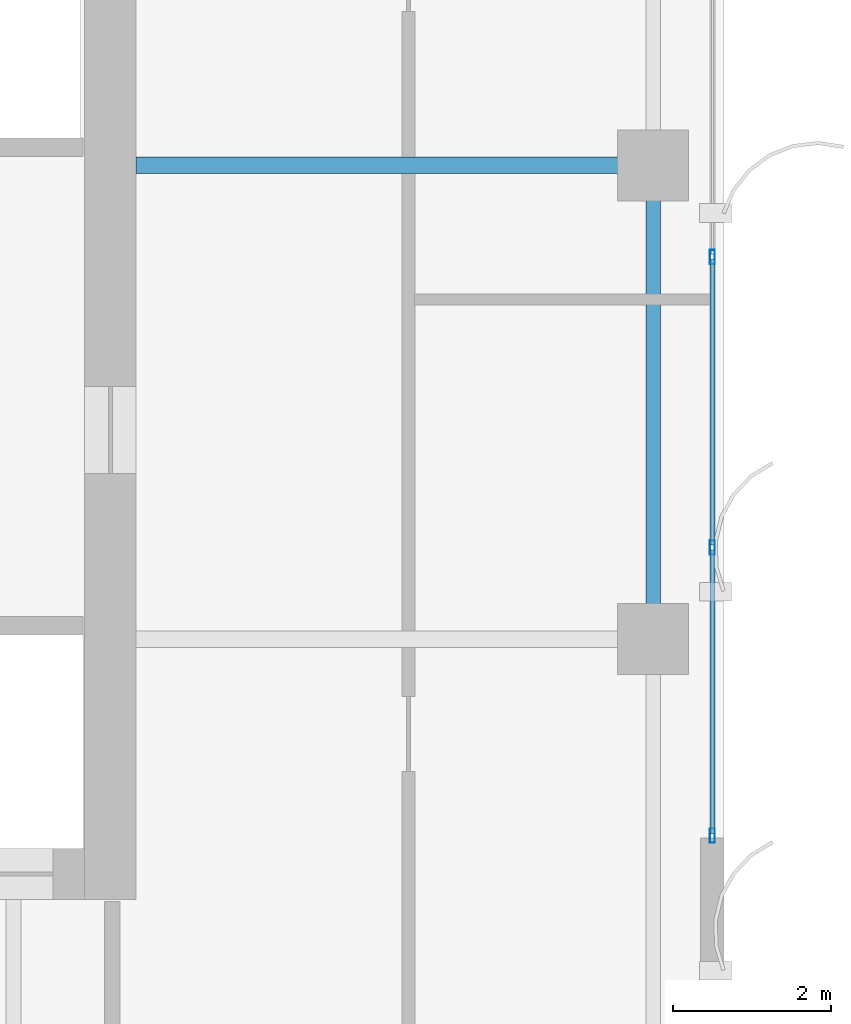
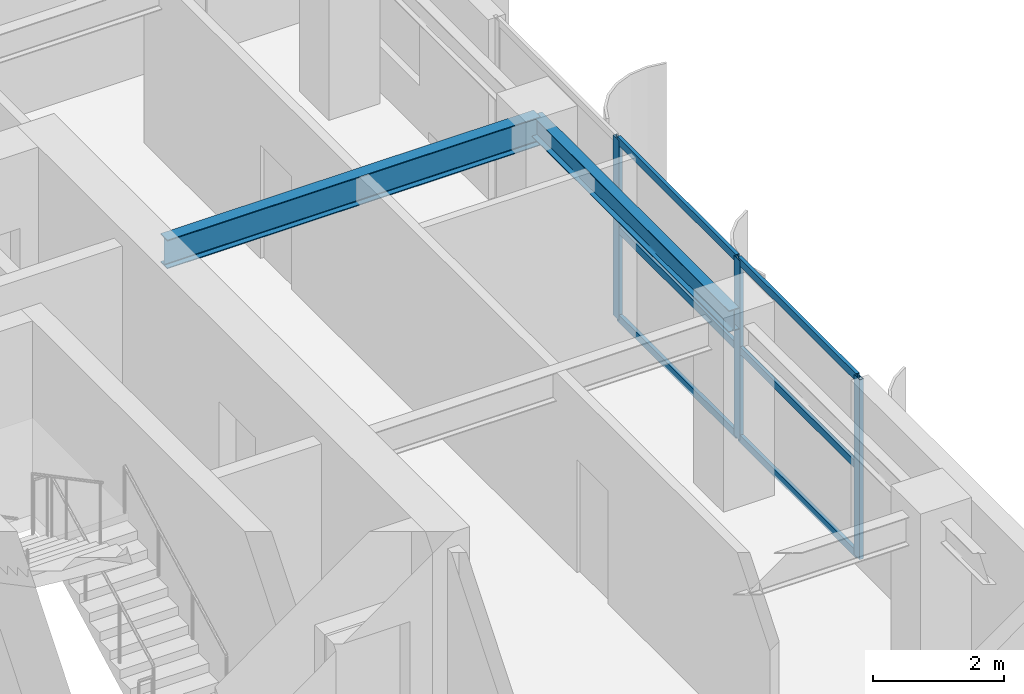
# One storey, part 9 of 22: 9 members, 2 beams, 1 element without a shape of its own.
"""IFC4 building model written with IfcOpenShell, lengths in metres."""

from ifc_helpers import new_model, si_unit, direction, frame, origin, origin_2d, place, context, subcontext, project, spatial, hollow_rectangle, i_section, extrude, source, transform, mapped, material, layer, layer_set, material_profile, profile_set, type_object, element, aggregate, save


model = new_model("IFC4")

# Units and contexts
model_context = context("Model", 3, precision=1e-05, world=origin(), true_north=direction((0.0, 1.0)))
body_context = subcontext(model_context, "Body", "Model", "MODEL_VIEW")
ifc_project = project(units=[si_unit("LENGTHUNIT", "METRE"), si_unit("AREAUNIT", "SQUARE_METRE"), si_unit("VOLUMEUNIT", "CUBIC_METRE"), si_unit("PLANEANGLEUNIT", "RADIAN"), si_unit("MASSUNIT", "GRAM", prefix="KILO")], contexts=[model_context])

# Site, building, storey
site_placement = place(None, origin())
site = spatial("IfcSite", under=ifc_project, at=site_placement, CompositionType="ELEMENT")
building_placement = place(site_placement, origin())
building = spatial("IfcBuilding", under=site, at=building_placement, Name="Khoralis Quay Care Tower", CompositionType="ELEMENT")
storey_placement = place(building_placement, frame((0.0, 0.0, 170.10009765625)))
storey = spatial("IfcBuildingStorey", under=building, at=storey_placement, Name="L44", CompositionType="ELEMENT", Elevation=170.10009765625)

# Beams
ifc_material_1 = material(Name="Steel S355", Category="steel")
ifc_material_profile_1 = material_profile(ifc_material_1, i_section(OverallWidth=0.179931640625, OverallDepth=0.39990234375, WebThickness=0.008544921875, FlangeThickness=0.013427734375, FilletRadius=0.02099609375, at=origin_2d()), Name="Steel S355")
ifc_profile_set_1 = profile_set([ifc_material_profile_1], Name="Steel S355")
beam_type_1 = type_object("IfcBeamType", Name="BM-IPE400", PredefinedType="SPANDREL", material=ifc_profile_set_1)
shared_shape_1 = source(origin(), body_context, "Body", "SweptSolid", [
    extrude(i_section(OverallWidth=0.179931640625, OverallDepth=0.39990234375, WebThickness=0.008544921875, FlangeThickness=0.013427734375, FilletRadius=0.02099609375, at=origin_2d()), origin(), (0.0, 0.0, 1.0), 6.0),
])
beam_1_placement = place(storey_placement, frame((44.10009765625, 18.0, 3.139892578125), z_axis=(0.0, 1.0, 0.0), x_axis=(-1.0, 0.0, 0.0)))
element("IfcBeam", 1, at=beam_1_placement, inside=storey, type_object=beam_type_1, Name="BM-TSP-L44-16", PredefinedType="SPANDREL", context=body_context, shape_type="MappedRepresentation", body=[
    mapped(shared_shape_1, transform((0.0, 0.0, 0.0), scale=1.0)),
])
ifc_material_profile_2 = material_profile(ifc_material_1, i_section(OverallWidth=0.208984375, OverallDepth=0.532958984375, WebThickness=0.01025390625, FlangeThickness=0.015625, FilletRadius=0.01611328125, at=origin_2d()), Name="Steel S355")
ifc_profile_set_2 = profile_set([ifc_material_profile_2], Name="Steel S355")
beam_type_2 = type_object("IfcBeamType", Name="BM-W530X92", PredefinedType="BEAM", material=ifc_profile_set_2)
shared_shape_2 = source(origin(), body_context, "Body", "SweptSolid", [
    extrude(i_section(OverallWidth=0.208984375, OverallDepth=0.532958984375, WebThickness=0.01025390625, FlangeThickness=0.015625, FilletRadius=0.01611328125, at=origin_2d()), origin(), (0.0, 0.0, 1.0), 6.552001953125),
])
beam_2_placement = place(storey_placement, frame((37.548095703125, 24.0, 3.073486328125), z_axis=(1.0, 0.0, 0.0), x_axis=(0.0, 1.0, 0.0)))
element("IfcBeam", 2, at=beam_2_placement, inside=storey, type_object=beam_type_2, Name="BM-TGXE-L44-240", PredefinedType="BEAM", context=body_context, shape_type="MappedRepresentation", body=[
    mapped(shared_shape_2, transform((0.0, 0.0, 0.0), scale=1.0)),
])

# Curtain wall, members
ifc_material_2 = material(Name="Pale anodised aluminium", Category="aluminium")
ifc_layer = layer(ifc_material_2, 0.159912109375)
ifc_layer_set = layer_set([ifc_layer], Name="Pale anodised aluminium")
curtain_wall_type = type_object("IfcCurtainWallType", Name="CW-SYS-Z3", PredefinedType="NOTDEFINED", material=ifc_layer_set)
curtain_wall_placement = place(storey_placement, origin())
curtain_wall = element("IfcCurtainWall", 3, at=curtain_wall_placement, inside=storey, type_object=curtain_wall_type, Name="L44 Unitised Curtain Wall CW-L44-P1-E5", PredefinedType="NOTDEFINED")
ifc_material_profile_3 = material_profile(ifc_material_2, hollow_rectangle(XDim=0.06494140625, YDim=0.179931640625, WallThickness=0.00390625, at=origin_2d()), Name="Pale anodised aluminium")
ifc_profile_set_3 = profile_set([ifc_material_profile_3], Name="Pale anodised aluminium")
member_type_1 = type_object("IfcMemberType", Name="CW-MUL-180", PredefinedType="MULLION", material=ifc_profile_set_3)
shared_shape_3 = source(origin(), body_context, "Body", "SweptSolid", [
    extrude(hollow_rectangle(XDim=0.06494140625, YDim=0.179931640625, WallThickness=0.00390625, at=origin_2d()), origin(), (0.0, 0.0, 1.0), 3.33984375),
])
member_1_placement = place(storey_placement, frame((44.85009765625, 15.510009765625, 0.0), z_axis=(0.0, 0.0, 1.0), x_axis=(-1.0, 0.0, 0.0)))
member_1 = element("IfcMember", 4, at=member_1_placement, type_object=member_type_1, Name="CW3 mullion 1", PredefinedType="MULLION", context=body_context, shape_type="MappedRepresentation", body=[
    mapped(shared_shape_3, transform((0.0, 0.0, 0.0), scale=1.0)),
])
member_2_placement = place(storey_placement, frame((44.85009765625, 19.159912109375, 0.0), z_axis=(0.0, 0.0, 1.0), x_axis=(-1.0, 0.0, 0.0)))
member_2 = element("IfcMember", 5, at=member_2_placement, type_object=member_type_1, Name="CW3 mullion 2", PredefinedType="MULLION", context=body_context, shape_type="MappedRepresentation", body=[
    mapped(shared_shape_3, transform((0.0, 0.0, 0.0), scale=1.0)),
])
member_3_placement = place(storey_placement, frame((44.85009765625, 22.840087890625, 0.0), z_axis=(0.0, 0.0, 1.0), x_axis=(-1.0, 0.0, 0.0)))
member_3 = element("IfcMember", 6, at=member_3_placement, type_object=member_type_1, Name="CW3 mullion 3", PredefinedType="MULLION", context=body_context, shape_type="MappedRepresentation", body=[
    mapped(shared_shape_3, transform((0.0, 0.0, 0.0), scale=1.0)),
])
ifc_material_profile_4 = material_profile(ifc_material_2, hollow_rectangle(XDim=0.06005859375, YDim=0.139892578125, WallThickness=0.00390625, at=origin_2d()), Name="Pale anodised aluminium")
ifc_profile_set_4 = profile_set([ifc_material_profile_4], Name="Pale anodised aluminium")
member_type_2 = type_object("IfcMemberType", Name="CW-TRN-140", PredefinedType="USERDEFINED", material=ifc_profile_set_4)
shared_shape_4 = source(origin(), body_context, "Body", "SweptSolid", [
    extrude(hollow_rectangle(XDim=0.06005859375, YDim=0.139892578125, WallThickness=0.00390625, at=origin_2d()), origin(), (0.0, 0.0, 1.0), 3.58984375),
])
member_4_placement = place(storey_placement, frame((44.85009765625, 15.5400390625, 0.02978515625), z_axis=(0.0, 1.0, 0.0), x_axis=(-1.0, 0.0, 0.0)))
member_4 = element("IfcMember", 7, at=member_4_placement, type_object=member_type_2, Name="CW3 transom 1.1", ObjectType="TRANSOM", PredefinedType="USERDEFINED", context=body_context, shape_type="MappedRepresentation", body=[
    mapped(shared_shape_4, transform((0.0, 0.0, 0.0), scale=1.0)),
])
member_5_placement = place(storey_placement, frame((44.85009765625, 15.5400390625, 1.669921875), z_axis=(0.0, 1.0, 0.0), x_axis=(-1.0, 0.0, 0.0)))
member_5 = element("IfcMember", 8, at=member_5_placement, type_object=member_type_2, Name="CW3 transom 1.2", ObjectType="TRANSOM", PredefinedType="USERDEFINED", context=body_context, shape_type="MappedRepresentation", body=[
    mapped(shared_shape_4, transform((0.0, 0.0, 0.0), scale=1.0)),
])
member_6_placement = place(storey_placement, frame((44.85009765625, 15.5400390625, 3.309814453125), z_axis=(0.0, 1.0, 0.0), x_axis=(-1.0, 0.0, 0.0)))
member_6 = element("IfcMember", 9, at=member_6_placement, type_object=member_type_2, Name="CW3 transom 1.3", ObjectType="TRANSOM", PredefinedType="USERDEFINED", context=body_context, shape_type="MappedRepresentation", body=[
    mapped(shared_shape_4, transform((0.0, 0.0, 0.0), scale=1.0)),
])
shared_shape_5 = source(origin(), body_context, "Body", "SweptSolid", [
    extrude(hollow_rectangle(XDim=0.06005859375, YDim=0.139892578125, WallThickness=0.00390625, at=origin_2d()), origin(), (0.0, 0.0, 1.0), 3.6201171875),
])
member_7_placement = place(storey_placement, frame((44.85009765625, 19.18994140625, 0.02978515625), z_axis=(0.0, 1.0, 0.0), x_axis=(-1.0, 0.0, 0.0)))
member_7 = element("IfcMember", 10, at=member_7_placement, type_object=member_type_2, Name="CW3 transom 2.1", ObjectType="TRANSOM", PredefinedType="USERDEFINED", context=body_context, shape_type="MappedRepresentation", body=[
    mapped(shared_shape_5, transform((0.0, 0.0, 0.0), scale=1.0)),
])
member_8_placement = place(storey_placement, frame((44.85009765625, 19.18994140625, 1.669921875), z_axis=(0.0, 1.0, 0.0), x_axis=(-1.0, 0.0, 0.0)))
member_8 = element("IfcMember", 11, at=member_8_placement, type_object=member_type_2, Name="CW3 transom 2.2", ObjectType="TRANSOM", PredefinedType="USERDEFINED", context=body_context, shape_type="MappedRepresentation", body=[
    mapped(shared_shape_5, transform((0.0, 0.0, 0.0), scale=1.0)),
])
member_9_placement = place(storey_placement, frame((44.85009765625, 19.18994140625, 3.309814453125), z_axis=(0.0, 1.0, 0.0), x_axis=(-1.0, 0.0, 0.0)))
member_9 = element("IfcMember", 12, at=member_9_placement, type_object=member_type_2, Name="CW3 transom 2.3", ObjectType="TRANSOM", PredefinedType="USERDEFINED", context=body_context, shape_type="MappedRepresentation", body=[
    mapped(shared_shape_5, transform((0.0, 0.0, 0.0), scale=1.0)),
])
aggregate(curtain_wall, [member_1, member_2, member_3, member_4, member_5, member_6, member_7, member_8, member_9])

save(model, "model.ifc")
